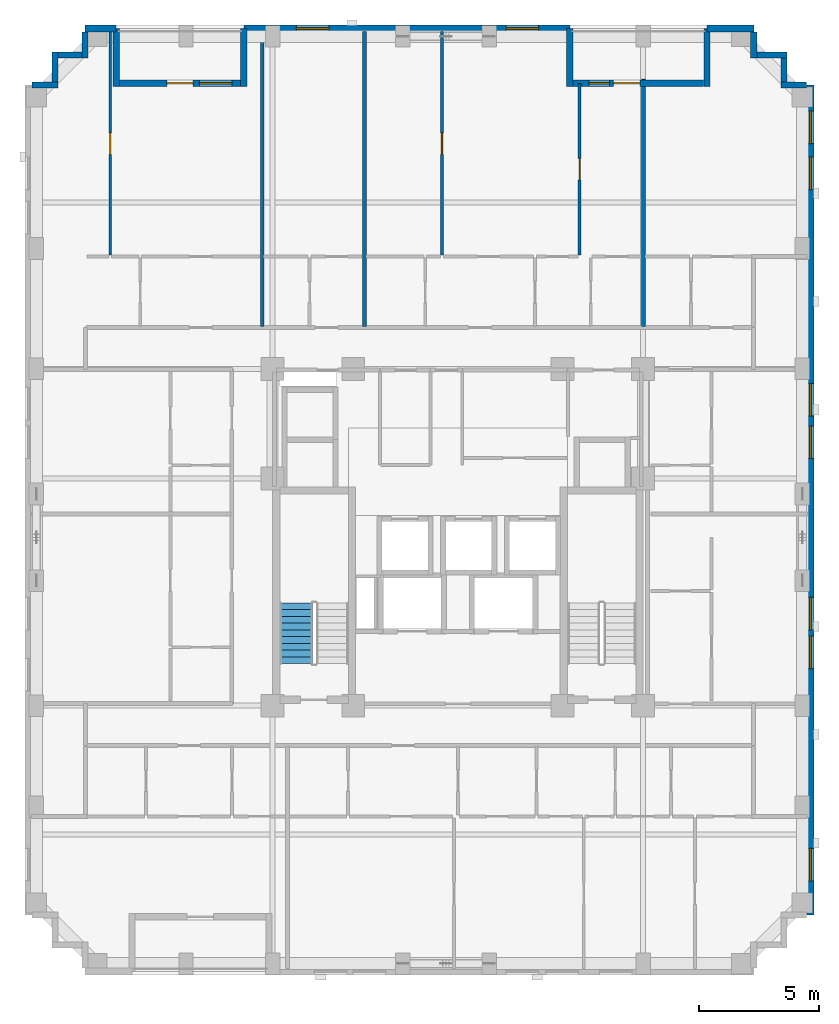
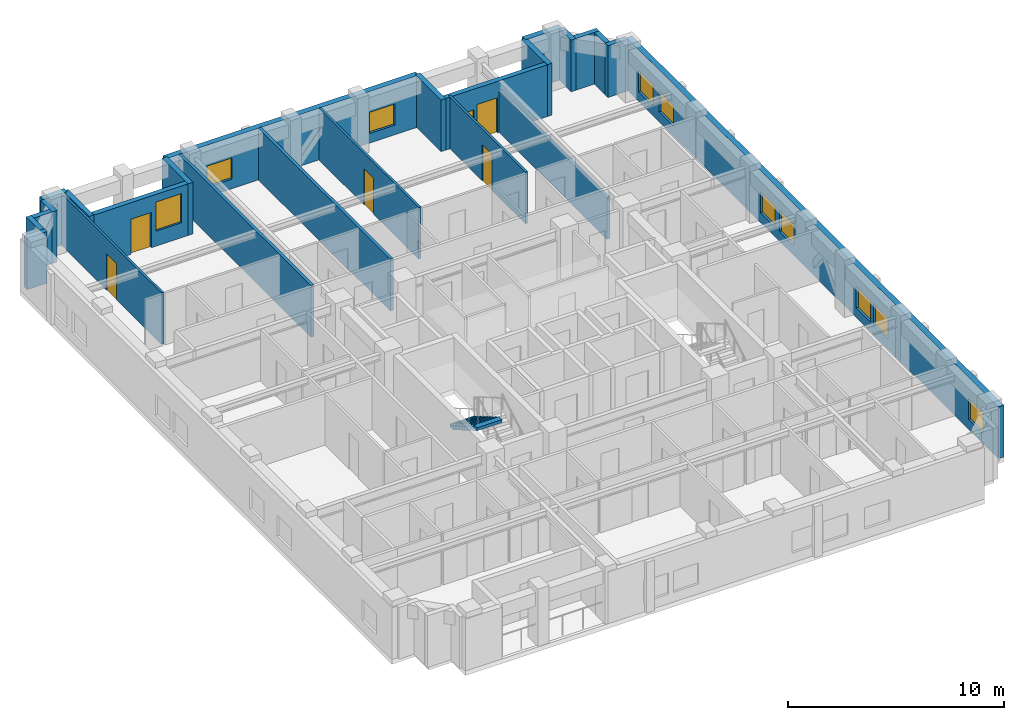
# One storey, part 7 of 11: 24 walls, 11 windows, 5 doors, 1 stair flight, 16 openings, 1 element without a shape of its own.
"""IFC4 building model written with IfcOpenShell, lengths in metres."""

from ifc_helpers import new_model, si_unit, derived_unit, direction, frame, frame_2d, origin, place, context, subcontext, project, spatial, polyline, rectangle, outline, extrude, material, layer, layer_set, type_object, element, fill, aggregate, save


model = new_model("IFC4")

# Units and contexts
model_context = context("Model", 3, precision=1e-05, world=origin(), true_north=direction((0.0, 1.0)))
body_context = subcontext(model_context, "Body", "Model", "MODEL_VIEW")
ifc_project = project(units=[si_unit("LENGTHUNIT", "METRE"), si_unit("AREAUNIT", "SQUARE_METRE"), si_unit("VOLUMEUNIT", "CUBIC_METRE"), si_unit("PLANEANGLEUNIT", "RADIAN"), si_unit("MASSUNIT", "GRAM", prefix="KILO"), derived_unit("THERMALTRANSMITTANCEUNIT", [(si_unit("MASSUNIT", "GRAM", prefix="KILO"), 1), (si_unit("TIMEUNIT", "SECOND"), -3), (si_unit("THERMODYNAMICTEMPERATUREUNIT", "KELVIN"), -1)])], contexts=[model_context])

# Site, building, storey
site_placement = place(None, origin())
site = spatial("IfcSite", under=ifc_project, at=site_placement, CompositionType="ELEMENT")
building_placement = place(site_placement, origin())
building = spatial("IfcBuilding", under=site, at=building_placement, Name="Korrvale Station Residences", CompositionType="ELEMENT")
storey_placement = place(building_placement, frame((0.0, 0.0, 166.64990234375)))
storey = spatial("IfcBuildingStorey", under=building, at=storey_placement, Name="L48", CompositionType="ELEMENT", Elevation=166.64990234375)

# Wall
ifc_material_1 = material(Name="Precast concrete C45/55", Category="concrete")
ifc_layer_1 = layer(ifc_material_1, 0.260009765625, Name="Precast concrete C45/55")
ifc_layer_set_1 = layer_set([ifc_layer_1], Name="Precast concrete C45/55")
wall_type_1 = type_object("IfcWallType", Name="WAL-EXT-LOG260", PredefinedType="SOLIDWALL", material=ifc_layer_set_1)
wall_1_placement = place(storey_placement, frame((11.300048828125, 43.139892578125, 0.0), z_axis=(0.0, 0.0, 1.0), x_axis=(0.0, -1.0, 0.0)))
element("IfcWall", 1, at=wall_1_placement, inside=storey, type_object=wall_type_1, Name="L48 Recessed Loggia Wall BAL-L48-N2-L", PredefinedType="SOLIDWALL", context=body_context, shape_type="SweptSolid", body=[
    extrude(rectangle(XDim=2.39990234375, YDim=0.260009765625, at=frame_2d((1.199951171875, 0.0))), origin(), (0.0, 0.0, 1.0), 2.93017578125),
])

# Wall, openings, door, window
wall_2_placement = place(storey_placement, frame((11.43408203125, 40.8701171875, 0.0), z_axis=(0.0, 0.0, 1.0), x_axis=(1.0, 0.0, 0.0)))
wall_2 = element("IfcWall", 2, at=wall_2_placement, inside=storey, type_object=wall_type_1, Name="L48 Recessed Loggia Wall BAL-L48-N2-B", PredefinedType="SOLIDWALL", context=body_context, shape_type="SweptSolid", body=[
    extrude(rectangle(XDim=5.031982421875, YDim=0.260009765625, at=frame_2d((2.51611328125, 0.0))), origin(), (0.0, 0.0, 1.0), 2.93017578125),
])
opening_1_placement = place(wall_2_placement, frame((1.966064453125, 0.0, 0.0)))
opening_1 = element("IfcOpeningElement", 3, at=opening_1_placement, cuts=wall_2, Name="Opening BD-01", PredefinedType="OPENING", context=body_context, shape_type="SweptSolid", body=[
    extrude(rectangle(XDim=1.10009765625, YDim=2.0, at=frame_2d((0.550048828125, 1.0))), frame((0.0, 0.14013671875, 0.0), z_axis=(0.0, -1.0, 0.0), x_axis=(1.0, 0.0, 0.0)), (0.0, 0.0, 1.0), 0.280029296875),
])
opening_2_placement = place(wall_2_placement, frame((3.325927734375, 0.0, 0.85009765625)))
opening_2 = element("IfcOpeningElement", 4, at=opening_2_placement, cuts=wall_2, Name="Opening W-06", PredefinedType="OPENING", context=body_context, shape_type="SweptSolid", body=[
    extrude(rectangle(XDim=1.35009765625, YDim=1.64990234375, at=frame_2d((0.675048828125, 0.824951171875))), frame((0.0, 0.14013671875, 0.0), z_axis=(0.0, -1.0, 0.0), x_axis=(1.0, 0.0, 0.0)), (0.0, 0.0, 1.0), 0.280029296875),
])
ifc_material_2 = material(Name="Exterior thermally broken aluminium glazed balcony door", Category="aluminium")
door_type_1 = type_object("IfcDoorType", Name="DR-EXT-BAL", OperationType="NOTDEFINED", PredefinedType="DOOR", material=ifc_material_2)
door_1_placement = place(opening_1_placement, origin())
door_1 = element("IfcDoor", 5, at=door_1_placement, inside=storey, type_object=door_type_1, Name="L48 Loggia Balcony Door BAL-L48-N2", OperationType="SINGLE_SWING_LEFT", OverallHeight=2.0, OverallWidth=1.10009765625, PredefinedType="DOOR", context=body_context, shape_type="SweptSolid", body=[
    extrude(rectangle(XDim=1.10009765625, YDim=2.0, at=frame_2d((0.550048828125, 1.0))), frame((0.0, 0.02490234375, 0.0), z_axis=(0.0, -1.0, 0.0), x_axis=(1.0, 0.0, 0.0)), (0.0, 0.0, 1.0), 0.050048828125),
])
fill(opening_1, door_1)
ifc_material_3 = material(Name="Thermally broken aluminium frame with triple low-e glazing", Category="aluminium")
window_type_1 = type_object("IfcWindowType", Name="WIN-W06", PartitioningType="SINGLE_PANEL", PredefinedType="WINDOW", material=ifc_material_3)
window_1_placement = place(opening_2_placement, origin())
window_1 = element("IfcWindow", 6, at=window_1_placement, inside=storey, type_object=window_type_1, Name="L48 Punched Window 10", OverallHeight=1.64990234375, OverallWidth=1.35009765625, PartitioningType="SINGLE_PANEL", PredefinedType="WINDOW", context=body_context, shape_type="SweptSolid", body=[
    extrude(rectangle(XDim=1.35009765625, YDim=1.64990234375, at=frame_2d((0.675048828125, 0.824951171875))), frame((0.0, 0.030029296875, 0.0), z_axis=(0.0, -1.0, 0.0), x_axis=(1.0, 0.0, 0.0)), (0.0, 0.0, 1.0), 0.06005859375),
])
fill(opening_2, window_1)

# Walls
for number, where, z_axis, x_axis, name in (
    (7, (16.60009765625, 40.739990234375, 0.0), (0.0, 0.0, 1.0), (0.0, 1.0, 0.0), "L48 Recessed Loggia Wall BAL-L48-N2-R"),
    (8, (30.14990234375, 43.139892578125, 0.0), (0.0, 0.0, 1.0), (0.0, -1.0, 0.0), "L48 Recessed Loggia Wall BAL-L48-N1-L"),
):
    element("IfcWall", number, at=place(storey_placement, frame(where, z_axis=z_axis, x_axis=x_axis)), inside=storey, type_object=wall_type_1, Name=name, PredefinedType="SOLIDWALL", context=body_context, shape_type="SweptSolid", body=[
        extrude(rectangle(XDim=2.39990234375, YDim=0.260009765625, at=frame_2d((1.199951171875, 0.0))), origin(), (0.0, 0.0, 1.0), 2.93017578125),
    ])

# Wall, openings, door, window
wall_3_placement = place(storey_placement, frame((30.283935546875, 40.8701171875, 0.0), z_axis=(0.0, 0.0, 1.0), x_axis=(1.0, 0.0, 0.0)))
wall_3 = element("IfcWall", 9, at=wall_3_placement, inside=storey, type_object=wall_type_1, Name="L48 Recessed Loggia Wall BAL-L48-N1-B", PredefinedType="SOLIDWALL", context=body_context, shape_type="SweptSolid", body=[
    extrude(rectangle(XDim=5.43212890625, YDim=0.260009765625, at=frame_2d((2.716064453125, 0.0))), origin(), (0.0, 0.0, 1.0), 2.93017578125),
])
opening_3_placement = place(wall_3_placement, frame((1.676025390625, 0.0, 0.0)))
opening_3 = element("IfcOpeningElement", 10, at=opening_3_placement, cuts=wall_3, Name="Opening BD-01", PredefinedType="OPENING", context=body_context, shape_type="SweptSolid", body=[
    extrude(rectangle(XDim=1.10009765625, YDim=2.0, at=frame_2d((0.550048828125, 1.0))), frame((0.0, 0.14013671875, 0.0), z_axis=(0.0, -1.0, 0.0), x_axis=(1.0, 0.0, 0.0)), (0.0, 0.0, 1.0), 0.280029296875),
])
opening_4_placement = place(wall_3_placement, frame((0.666015625, 0.0, 0.550048828125)))
opening_4 = element("IfcOpeningElement", 11, at=opening_4_placement, cuts=wall_3, Name="Opening W-11", PredefinedType="OPENING", context=body_context, shape_type="SweptSolid", body=[
    extrude(rectangle(XDim=0.85009765625, YDim=1.199951171875, at=frame_2d((0.425048828125, 0.60009765625))), frame((0.0, 0.14013671875, 0.0), z_axis=(0.0, -1.0, 0.0), x_axis=(1.0, 0.0, 0.0)), (0.0, 0.0, 1.0), 0.280029296875),
])
door_2_placement = place(opening_3_placement, origin())
door_2 = element("IfcDoor", 12, at=door_2_placement, inside=storey, type_object=door_type_1, Name="L48 Loggia Balcony Door BAL-L48-N1", OperationType="SINGLE_SWING_RIGHT", OverallHeight=2.0, OverallWidth=1.10009765625, PredefinedType="DOOR", context=body_context, shape_type="SweptSolid", body=[
    extrude(rectangle(XDim=1.10009765625, YDim=2.0, at=frame_2d((0.550048828125, 1.0))), frame((0.0, 0.02490234375, 0.0), z_axis=(0.0, -1.0, 0.0), x_axis=(1.0, 0.0, 0.0)), (0.0, 0.0, 1.0), 0.050048828125),
])
fill(opening_3, door_2)
window_type_2 = type_object("IfcWindowType", Name="WIN-W11", PartitioningType="SINGLE_PANEL", PredefinedType="WINDOW", material=ifc_material_3)
window_2_placement = place(opening_4_placement, origin())
window_2 = element("IfcWindow", 13, at=window_2_placement, inside=storey, type_object=window_type_2, Name="L48 Punched Window 13", OverallHeight=1.199951171875, OverallWidth=0.85009765625, PartitioningType="SINGLE_PANEL", PredefinedType="WINDOW", context=body_context, shape_type="SweptSolid", body=[
    extrude(rectangle(XDim=0.85009765625, YDim=1.199951171875, at=frame_2d((0.425048828125, 0.60009765625))), frame((0.0, 0.030029296875, 0.0), z_axis=(0.0, -1.0, 0.0), x_axis=(1.0, 0.0, 0.0)), (0.0, 0.0, 1.0), 0.06005859375),
])
fill(opening_4, window_2)

# Walls
wall_4_placement = place(storey_placement, frame((35.85009765625, 40.739990234375, 0.0), z_axis=(0.0, 0.0, 1.0), x_axis=(0.0, 1.0, 0.0)))
element("IfcWall", 14, at=wall_4_placement, inside=storey, type_object=wall_type_1, Name="L48 Recessed Loggia Wall BAL-L48-N1-R", PredefinedType="SOLIDWALL", context=body_context, shape_type="SweptSolid", body=[
    extrude(rectangle(XDim=2.39990234375, YDim=0.260009765625, at=frame_2d((1.199951171875, 0.0))), origin(), (0.0, 0.0, 1.0), 2.93017578125),
])
wall_5_placement = place(storey_placement, frame((7.802001953125, 40.800048828125, 0.0), z_axis=(0.0, 0.0, 1.0), x_axis=(1.0, 0.0, 0.0)))
element("IfcWall", 15, at=wall_5_placement, inside=storey, type_object=wall_type_1, Name="L48 Serrated Corner Precast Step NW-1", PredefinedType="SOLIDWALL", context=body_context, shape_type="SweptSolid", body=[
    extrude(rectangle(XDim=1.077880859375, YDim=0.260009765625, at=frame_2d((0.5390625, 0.0))), origin(), (0.0, 0.0, 1.0), 2.93017578125),
])
wall_6_placement = place(storey_placement, frame((8.75, 40.931884765625, 0.0), z_axis=(0.0, 0.0, 1.0), x_axis=(0.0, 1.0, 0.0)))
element("IfcWall", 16, at=wall_6_placement, inside=storey, type_object=wall_type_1, Name="L48 Serrated Corner Precast Step NW-2", PredefinedType="SOLIDWALL", context=body_context, shape_type="SweptSolid", body=[
    extrude(rectangle(XDim=1.248046875, YDim=0.260009765625, at=frame_2d((0.6240234375, 0.0))), origin(), (0.0, 0.0, 1.0), 2.93017578125),
])
wall_7_placement = place(storey_placement, frame((8.882080078125, 42.050048828125, 0.0), z_axis=(0.0, 0.0, 1.0), x_axis=(1.0, 0.0, 0.0)))
element("IfcWall", 17, at=wall_7_placement, inside=storey, type_object=wall_type_1, Name="L48 Serrated Corner Precast Step NW-3", PredefinedType="SOLIDWALL", context=body_context, shape_type="SweptSolid", body=[
    extrude(rectangle(XDim=0.98583984375, YDim=0.260009765625, at=frame_2d((0.492919921875, 0.0))), origin(), (0.0, 0.0, 1.0), 2.93017578125),
])
for number, where, z_axis, x_axis, name in (
    (18, (10.0, 41.919921875, 0.0), (0.0, 0.0, 1.0), (0.0, 1.0, 0.0), "L48 Serrated Corner Precast Step NW-4"),
    (19, (37.800048828125, 42.998046875, 0.0), (0.0, 0.0, 1.0), (0.0, -1.0, 0.0), "L48 Serrated Corner Precast Step NE-1"),
):
    element("IfcWall", number, at=place(storey_placement, frame(where, z_axis=z_axis, x_axis=x_axis)), inside=storey, type_object=wall_type_1, Name=name, PredefinedType="SOLIDWALL", context=body_context, shape_type="SweptSolid", body=[
        extrude(rectangle(XDim=1.078125, YDim=0.260009765625, at=frame_2d((0.5390625, 0.0))), origin(), (0.0, 0.0, 1.0), 2.93017578125),
    ])
wall_8_placement = place(storey_placement, frame((37.931884765625, 42.050048828125, 0.0), z_axis=(0.0, 0.0, 1.0), x_axis=(1.0, 0.0, 0.0)))
element("IfcWall", 20, at=wall_8_placement, inside=storey, type_object=wall_type_1, Name="L48 Serrated Corner Precast Step NE-2", PredefinedType="SOLIDWALL", context=body_context, shape_type="SweptSolid", body=[
    extrude(rectangle(XDim=1.248046875, YDim=0.260009765625, at=frame_2d((0.6240234375, 0.0))), origin(), (0.0, 0.0, 1.0), 2.93017578125),
])
wall_9_placement = place(storey_placement, frame((39.050048828125, 41.91796875, 0.0), z_axis=(0.0, 0.0, 1.0), x_axis=(0.0, -1.0, 0.0)))
element("IfcWall", 21, at=wall_9_placement, inside=storey, type_object=wall_type_1, Name="L48 Serrated Corner Precast Step NE-3", PredefinedType="SOLIDWALL", context=body_context, shape_type="SweptSolid", body=[
    extrude(rectangle(XDim=0.986083984375, YDim=0.260009765625, at=frame_2d((0.4931640625, 0.0))), origin(), (0.0, 0.0, 1.0), 2.93017578125),
])
wall_10_placement = place(storey_placement, frame((38.919921875, 40.800048828125, 0.0), z_axis=(0.0, 0.0, 1.0), x_axis=(1.0, 0.0, 0.0)))
element("IfcWall", 22, at=wall_10_placement, inside=storey, type_object=wall_type_1, Name="L48 Serrated Corner Precast Step NE-4", PredefinedType="SOLIDWALL", context=body_context, shape_type="SweptSolid", body=[
    extrude(rectangle(XDim=1.078125, YDim=0.260009765625, at=frame_2d((0.5390625, 0.0))), origin(), (0.0, 0.0, 1.0), 2.93017578125),
])
ifc_layer_2 = layer(ifc_material_1, 0.300048828125, Name="Precast concrete C45/55")
ifc_layer_set_2 = layer_set([ifc_layer_2], Name="Precast concrete C45/55")
wall_type_2 = type_object("IfcWallType", Name="WAL-EXT-PC300", PredefinedType="SOLIDWALL", material=ifc_layer_set_2)
wall_11_placement = place(storey_placement, frame((10.0, 43.14990234375, 0.0), z_axis=(0.0, 0.0, 1.0), x_axis=(1.0, 0.0, 0.0)))
element("IfcWall", 23, at=wall_11_placement, inside=storey, type_object=wall_type_2, Name="L48 North Exterior Precast Wall 1", PredefinedType="SOLIDWALL", context=body_context, shape_type="SweptSolid", body=[
    extrude(rectangle(XDim=1.300048828125, YDim=0.300048828125, at=frame_2d((0.64990234375, 0.0))), origin(), (0.0, 0.0, 1.0), 2.93017578125),
])

# Wall, openings, windows
wall_12_placement = place(storey_placement, frame((16.60009765625, 43.14990234375, 0.0), z_axis=(0.0, 0.0, 1.0), x_axis=(1.0, 0.0, 0.0)))
wall_12 = element("IfcWall", 24, at=wall_12_placement, inside=storey, type_object=wall_type_2, Name="L48 North Exterior Precast Wall 2", PredefinedType="SOLIDWALL", context=body_context, shape_type="SweptSolid", body=[
    extrude(rectangle(XDim=13.5498046875, YDim=0.300048828125, at=frame_2d((6.77490234375, 0.0))), origin(), (0.0, 0.0, 1.0), 2.93017578125),
])
opening_5_placement = place(wall_12_placement, frame((2.18603515625, 0.0, 0.550048828125)))
opening_5 = element("IfcOpeningElement", 25, at=opening_5_placement, cuts=wall_12, Name="Opening W-10", PredefinedType="OPENING", context=body_context, shape_type="SweptSolid", body=[
    extrude(rectangle(XDim=1.35009765625, YDim=1.199951171875, at=frame_2d((0.675048828125, 0.60009765625))), frame((0.0, 0.16015625, 0.0), z_axis=(0.0, -1.0, 0.0), x_axis=(1.0, 0.0, 0.0)), (0.0, 0.0, 1.0), 0.320068359375),
])
opening_6_placement = place(wall_12_placement, frame((10.89990234375, 0.0, 0.550048828125)))
opening_6 = element("IfcOpeningElement", 26, at=opening_6_placement, cuts=wall_12, Name="Opening W-10", PredefinedType="OPENING", context=body_context, shape_type="SweptSolid", body=[
    extrude(rectangle(XDim=1.35009765625, YDim=1.199951171875, at=frame_2d((0.675048828125, 0.60009765625))), frame((0.0, 0.16015625, 0.0), z_axis=(0.0, -1.0, 0.0), x_axis=(1.0, 0.0, 0.0)), (0.0, 0.0, 1.0), 0.320068359375),
])
window_type_3 = type_object("IfcWindowType", Name="WIN-W10", PartitioningType="SINGLE_PANEL", PredefinedType="WINDOW", material=ifc_material_3)
window_3_placement = place(opening_5_placement, origin())
window_3 = element("IfcWindow", 27, at=window_3_placement, inside=storey, type_object=window_type_3, Name="L48 Punched Window 11", OverallHeight=1.199951171875, OverallWidth=1.35009765625, PartitioningType="SINGLE_PANEL", PredefinedType="WINDOW", context=body_context, shape_type="SweptSolid", body=[
    extrude(rectangle(XDim=1.35009765625, YDim=1.199951171875, at=frame_2d((0.675048828125, 0.60009765625))), frame((0.0, 0.030029296875, 0.0), z_axis=(0.0, -1.0, 0.0), x_axis=(1.0, 0.0, 0.0)), (0.0, 0.0, 1.0), 0.06005859375),
])
fill(opening_5, window_3)
window_4_placement = place(opening_6_placement, origin())
window_4 = element("IfcWindow", 28, at=window_4_placement, inside=storey, type_object=window_type_3, Name="L48 Punched Window 12", OverallHeight=1.199951171875, OverallWidth=1.35009765625, PartitioningType="SINGLE_PANEL", PredefinedType="WINDOW", context=body_context, shape_type="SweptSolid", body=[
    extrude(rectangle(XDim=1.35009765625, YDim=1.199951171875, at=frame_2d((0.675048828125, 0.60009765625))), frame((0.0, 0.030029296875, 0.0), z_axis=(0.0, -1.0, 0.0), x_axis=(1.0, 0.0, 0.0)), (0.0, 0.0, 1.0), 0.06005859375),
])
fill(opening_6, window_4)

# Wall
wall_13_placement = place(storey_placement, frame((35.85009765625, 43.14990234375, 0.0), z_axis=(0.0, 0.0, 1.0), x_axis=(1.0, 0.0, 0.0)))
element("IfcWall", 29, at=wall_13_placement, inside=storey, type_object=wall_type_2, Name="L48 North Exterior Precast Wall 3", PredefinedType="SOLIDWALL", context=body_context, shape_type="SweptSolid", body=[
    extrude(rectangle(XDim=1.949951171875, YDim=0.300048828125, at=frame_2d((0.97509765625, 0.0))), origin(), (0.0, 0.0, 1.0), 2.93017578125),
])

# Wall, openings, windows
wall_14_placement = place(storey_placement, frame((40.14990234375, 40.800048828125, 0.0), z_axis=(0.0, 0.0, 1.0), x_axis=(0.0, -1.0, 0.0)))
wall_14 = element("IfcWall", 30, at=wall_14_placement, inside=storey, type_object=wall_type_2, Name="L48 East Exterior Precast Wall 1", PredefinedType="SOLIDWALL", context=body_context, shape_type="SweptSolid", body=[
    extrude(rectangle(XDim=34.5, YDim=0.300048828125, at=frame_2d((17.25, 0.0))), origin(), (0.0, 0.0, 1.0), 2.93017578125),
])
opening_7_placement = place(wall_14_placement, frame((31.72509765625, 0.0, 0.550048828125)))
opening_7 = element("IfcOpeningElement", 31, at=opening_7_placement, cuts=wall_14, Name="Opening W-10", PredefinedType="OPENING", context=body_context, shape_type="SweptSolid", body=[
    extrude(rectangle(XDim=1.35009765625, YDim=1.199951171875, at=frame_2d((0.675048828125, 0.60009765625))), frame((0.0, 0.16015625, 0.0), z_axis=(0.0, -1.0, 0.0), x_axis=(1.0, 0.0, 0.0)), (0.0, 0.0, 1.0), 0.320068359375),
])
opening_8_placement = place(wall_14_placement, frame((3.0, 0.0, 0.550048828125)))
opening_8 = element("IfcOpeningElement", 32, at=opening_8_placement, cuts=wall_14, Name="Opening W-10", PredefinedType="OPENING", context=body_context, shape_type="SweptSolid", body=[
    extrude(rectangle(XDim=1.35009765625, YDim=1.199951171875, at=frame_2d((0.675048828125, 0.60009765625))), frame((0.0, 0.16015625, 0.0), z_axis=(0.0, -1.0, 0.0), x_axis=(1.0, 0.0, 0.0)), (0.0, 0.0, 1.0), 0.320068359375),
])
opening_9_placement = place(wall_14_placement, frame((1.0849609375, 0.0, 0.550048828125)))
opening_9 = element("IfcOpeningElement", 33, at=opening_9_placement, cuts=wall_14, Name="Opening W-10", PredefinedType="OPENING", context=body_context, shape_type="SweptSolid", body=[
    extrude(rectangle(XDim=1.35009765625, YDim=1.199951171875, at=frame_2d((0.675048828125, 0.60009765625))), frame((0.0, 0.16015625, 0.0), z_axis=(0.0, -1.0, 0.0), x_axis=(1.0, 0.0, 0.0)), (0.0, 0.0, 1.0), 0.320068359375),
])
opening_10_placement = place(wall_14_placement, frame((21.300048828125, 0.0, 0.550048828125)))
opening_10 = element("IfcOpeningElement", 34, at=opening_10_placement, cuts=wall_14, Name="Opening W-10", PredefinedType="OPENING", context=body_context, shape_type="SweptSolid", body=[
    extrude(rectangle(XDim=1.35009765625, YDim=1.199951171875, at=frame_2d((0.675048828125, 0.60009765625))), frame((0.0, 0.16015625, 0.0), z_axis=(0.0, -1.0, 0.0), x_axis=(1.0, 0.0, 0.0)), (0.0, 0.0, 1.0), 0.320068359375),
])
opening_11_placement = place(wall_14_placement, frame((22.909912109375, 0.0, 0.550048828125)))
opening_11 = element("IfcOpeningElement", 35, at=opening_11_placement, cuts=wall_14, Name="Opening W-10", PredefinedType="OPENING", context=body_context, shape_type="SweptSolid", body=[
    extrude(rectangle(XDim=1.35009765625, YDim=1.199951171875, at=frame_2d((0.675048828125, 0.60009765625))), frame((0.0, 0.16015625, 0.0), z_axis=(0.0, -1.0, 0.0), x_axis=(1.0, 0.0, 0.0)), (0.0, 0.0, 1.0), 0.320068359375),
])
opening_12_placement = place(wall_14_placement, frame((14.175048828125, 0.0, 0.550048828125)))
opening_12 = element("IfcOpeningElement", 36, at=opening_12_placement, cuts=wall_14, Name="Opening W-10", PredefinedType="OPENING", context=body_context, shape_type="SweptSolid", body=[
    extrude(rectangle(XDim=1.35009765625, YDim=1.199951171875, at=frame_2d((0.675048828125, 0.60009765625))), frame((0.0, 0.16015625, 0.0), z_axis=(0.0, -1.0, 0.0), x_axis=(1.0, 0.0, 0.0)), (0.0, 0.0, 1.0), 0.320068359375),
])
opening_13_placement = place(wall_14_placement, frame((12.409912109375, 0.0, 0.550048828125)))
opening_13 = element("IfcOpeningElement", 37, at=opening_13_placement, cuts=wall_14, Name="Opening W-10", PredefinedType="OPENING", context=body_context, shape_type="SweptSolid", body=[
    extrude(rectangle(XDim=1.35009765625, YDim=1.199951171875, at=frame_2d((0.675048828125, 0.60009765625))), frame((0.0, 0.16015625, 0.0), z_axis=(0.0, -1.0, 0.0), x_axis=(1.0, 0.0, 0.0)), (0.0, 0.0, 1.0), 0.320068359375),
])
window_5_placement = place(opening_7_placement, origin())
window_5 = element("IfcWindow", 38, at=window_5_placement, inside=storey, type_object=window_type_3, Name="L48 Punched Window 07", OverallHeight=1.199951171875, OverallWidth=1.35009765625, PartitioningType="SINGLE_PANEL", PredefinedType="WINDOW", context=body_context, shape_type="SweptSolid", body=[
    extrude(rectangle(XDim=1.35009765625, YDim=1.199951171875, at=frame_2d((0.675048828125, 0.60009765625))), frame((0.0, 0.030029296875, 0.0), z_axis=(0.0, -1.0, 0.0), x_axis=(1.0, 0.0, 0.0)), (0.0, 0.0, 1.0), 0.06005859375),
])
fill(opening_7, window_5)
window_6_placement = place(opening_8_placement, origin())
window_6 = element("IfcWindow", 39, at=window_6_placement, inside=storey, type_object=window_type_3, Name="L48 Punched Window 14", OverallHeight=1.199951171875, OverallWidth=1.35009765625, PartitioningType="SINGLE_PANEL", PredefinedType="WINDOW", context=body_context, shape_type="SweptSolid", body=[
    extrude(rectangle(XDim=1.35009765625, YDim=1.199951171875, at=frame_2d((0.675048828125, 0.60009765625))), frame((0.0, 0.030029296875, 0.0), z_axis=(0.0, -1.0, 0.0), x_axis=(1.0, 0.0, 0.0)), (0.0, 0.0, 1.0), 0.06005859375),
])
fill(opening_8, window_6)
window_7_placement = place(opening_9_placement, origin())
window_7 = element("IfcWindow", 40, at=window_7_placement, inside=storey, type_object=window_type_3, Name="L48 Punched Window 15", OverallHeight=1.199951171875, OverallWidth=1.35009765625, PartitioningType="SINGLE_PANEL", PredefinedType="WINDOW", context=body_context, shape_type="SweptSolid", body=[
    extrude(rectangle(XDim=1.35009765625, YDim=1.199951171875, at=frame_2d((0.675048828125, 0.60009765625))), frame((0.0, 0.030029296875, 0.0), z_axis=(0.0, -1.0, 0.0), x_axis=(1.0, 0.0, 0.0)), (0.0, 0.0, 1.0), 0.06005859375),
])
fill(opening_9, window_7)
window_8_placement = place(opening_10_placement, origin())
window_8 = element("IfcWindow", 41, at=window_8_placement, inside=storey, type_object=window_type_3, Name="L48 Punched Window 20", OverallHeight=1.199951171875, OverallWidth=1.35009765625, PartitioningType="SINGLE_PANEL", PredefinedType="WINDOW", context=body_context, shape_type="SweptSolid", body=[
    extrude(rectangle(XDim=1.35009765625, YDim=1.199951171875, at=frame_2d((0.675048828125, 0.60009765625))), frame((0.0, 0.030029296875, 0.0), z_axis=(0.0, -1.0, 0.0), x_axis=(1.0, 0.0, 0.0)), (0.0, 0.0, 1.0), 0.06005859375),
])
fill(opening_10, window_8)
window_9_placement = place(opening_11_placement, origin())
window_9 = element("IfcWindow", 42, at=window_9_placement, inside=storey, type_object=window_type_3, Name="L48 Punched Window 21", OverallHeight=1.199951171875, OverallWidth=1.35009765625, PartitioningType="SINGLE_PANEL", PredefinedType="WINDOW", context=body_context, shape_type="SweptSolid", body=[
    extrude(rectangle(XDim=1.35009765625, YDim=1.199951171875, at=frame_2d((0.675048828125, 0.60009765625))), frame((0.0, 0.030029296875, 0.0), z_axis=(0.0, -1.0, 0.0), x_axis=(1.0, 0.0, 0.0)), (0.0, 0.0, 1.0), 0.06005859375),
])
fill(opening_11, window_9)
window_10_placement = place(opening_12_placement, origin())
window_10 = element("IfcWindow", 43, at=window_10_placement, inside=storey, type_object=window_type_3, Name="L48 Punched Window 22", OverallHeight=1.199951171875, OverallWidth=1.35009765625, PartitioningType="SINGLE_PANEL", PredefinedType="WINDOW", context=body_context, shape_type="SweptSolid", body=[
    extrude(rectangle(XDim=1.35009765625, YDim=1.199951171875, at=frame_2d((0.675048828125, 0.60009765625))), frame((0.0, 0.030029296875, 0.0), z_axis=(0.0, -1.0, 0.0), x_axis=(1.0, 0.0, 0.0)), (0.0, 0.0, 1.0), 0.06005859375),
])
fill(opening_12, window_10)
window_11_placement = place(opening_13_placement, origin())
window_11 = element("IfcWindow", 44, at=window_11_placement, inside=storey, type_object=window_type_3, Name="L48 Punched Window 23", OverallHeight=1.199951171875, OverallWidth=1.35009765625, PartitioningType="SINGLE_PANEL", PredefinedType="WINDOW", context=body_context, shape_type="SweptSolid", body=[
    extrude(rectangle(XDim=1.35009765625, YDim=1.199951171875, at=frame_2d((0.675048828125, 0.60009765625))), frame((0.0, 0.030029296875, 0.0), z_axis=(0.0, -1.0, 0.0), x_axis=(1.0, 0.0, 0.0)), (0.0, 0.0, 1.0), 0.06005859375),
])
fill(opening_13, window_11)

# Wall, opening, door
ifc_material_4 = material(Name="Acoustic steel-stud gypsum board partition", Category="steel")
ifc_layer_3 = layer(ifc_material_4, 0.1201171875, Name="Acoustic steel-stud gypsum board partition")
ifc_layer_set_3 = layer_set([ifc_layer_3], Name="Acoustic steel-stud gypsum board partition")
wall_type_3 = type_object("IfcWallType", Name="WAL-PART-125", PredefinedType="PARTITIONING", material=ifc_layer_set_3)
wall_15_placement = place(storey_placement, frame((11.050048828125, 33.72998046875, 0.0), z_axis=(0.0, 0.0, 1.0), x_axis=(0.0, 1.0, 0.0)))
wall_15 = element("IfcWall", 45, at=wall_15_placement, inside=storey, type_object=wall_type_3, Name="L48 Suite Partition U03-V23", PredefinedType="PARTITIONING", context=body_context, shape_type="SweptSolid", body=[
    extrude(rectangle(XDim=9.2900390625, YDim=0.1201171875, at=frame_2d((4.64501953125, 0.0))), origin(), (0.0, 0.0, 1.0), 2.93017578125),
])
opening_14_placement = place(wall_15_placement, frame((4.179931640625, 0.0, 0.0)))
opening_14 = element("IfcOpeningElement", 46, at=opening_14_placement, cuts=wall_15, Name="Opening DI-900", PredefinedType="OPENING", context=body_context, shape_type="SweptSolid", body=[
    extrude(rectangle(XDim=0.89990234375, YDim=2.050048828125, at=frame_2d((0.449951171875, 1.02490234375))), frame((0.0, 0.070068359375, 0.0), z_axis=(0.0, -1.0, 0.0), x_axis=(1.0, 0.0, 0.0)), (0.0, 0.0, 1.0), 0.14013671875),
])
ifc_material_5 = material(Name="Painted solid-core timber interior room door", Category="wood")
door_type_2 = type_object("IfcDoorType", Name="DR-INT-900", OperationType="NOTDEFINED", PredefinedType="DOOR", material=ifc_material_5)
door_3_placement = place(opening_14_placement, origin())
door_3 = element("IfcDoor", 47, at=door_3_placement, inside=storey, type_object=door_type_2, Name="L48 Studio Apartment L48-U03 Walk-In Wardrobe Door", OperationType="SINGLE_SWING_RIGHT", OverallHeight=2.050048828125, OverallWidth=0.89990234375, PredefinedType="DOOR", context=body_context, shape_type="SweptSolid", body=[
    extrude(rectangle(XDim=0.89990234375, YDim=2.050048828125, at=frame_2d((0.449951171875, 1.02490234375))), frame((0.0, 0.02490234375, 0.0), z_axis=(0.0, -1.0, 0.0), x_axis=(1.0, 0.0, 0.0)), (0.0, 0.0, 1.0), 0.050048828125),
])
fill(opening_14, door_3)

wall_16_placement = place(storey_placement, frame((24.841064453125, 33.72998046875, 0.0), z_axis=(0.0, 0.0, 1.0), x_axis=(0.0, 1.0, 0.0)))
wall_16 = element("IfcWall", 48, at=wall_16_placement, inside=storey, type_object=wall_type_3, Name="L48 Suite Partition U05-V45", PredefinedType="PARTITIONING", context=body_context, shape_type="SweptSolid", body=[
    extrude(rectangle(XDim=9.2900390625, YDim=0.1201171875, at=frame_2d((4.64501953125, 0.0))), origin(), (0.0, 0.0, 1.0), 2.93017578125),
])
opening_15_placement = place(wall_16_placement, frame((4.179931640625, 0.0, 0.0)))
opening_15 = element("IfcOpeningElement", 49, at=opening_15_placement, cuts=wall_16, Name="Opening DI-900", PredefinedType="OPENING", context=body_context, shape_type="SweptSolid", body=[
    extrude(rectangle(XDim=0.89990234375, YDim=2.050048828125, at=frame_2d((0.449951171875, 1.02490234375))), frame((0.0, 0.070068359375, 0.0), z_axis=(0.0, -1.0, 0.0), x_axis=(1.0, 0.0, 0.0)), (0.0, 0.0, 1.0), 0.14013671875),
])
door_4_placement = place(opening_15_placement, origin())
door_4 = element("IfcDoor", 50, at=door_4_placement, inside=storey, type_object=door_type_2, Name="L48 Studio Apartment L48-U05 Walk-In Wardrobe Door", OperationType="SINGLE_SWING_LEFT", OverallHeight=2.050048828125, OverallWidth=0.89990234375, PredefinedType="DOOR", context=body_context, shape_type="SweptSolid", body=[
    extrude(rectangle(XDim=0.89990234375, YDim=2.050048828125, at=frame_2d((0.449951171875, 1.02490234375))), frame((0.0, 0.02490234375, 0.0), z_axis=(0.0, -1.0, 0.0), x_axis=(1.0, 0.0, 0.0)), (0.0, 0.0, 1.0), 0.050048828125),
])
fill(opening_15, door_4)

wall_17_placement = place(storey_placement, frame((30.56005859375, 33.72998046875, 0.0), z_axis=(0.0, 0.0, 1.0), x_axis=(0.0, 1.0, 0.0)))
wall_17 = element("IfcWall", 51, at=wall_17_placement, inside=storey, type_object=wall_type_3, Name="L48 Suite Partition U05-V56", PredefinedType="PARTITIONING", context=body_context, shape_type="SweptSolid", body=[
    extrude(rectangle(XDim=7.14013671875, YDim=0.1201171875, at=frame_2d((3.570068359375, 0.0))), origin(), (0.0, 0.0, 1.0), 2.93017578125),
])
opening_16_placement = place(wall_17_placement, frame((3.1201171875, 0.0, 0.0)))
opening_16 = element("IfcOpeningElement", 52, at=opening_16_placement, cuts=wall_17, Name="Opening DI-900", PredefinedType="OPENING", context=body_context, shape_type="SweptSolid", body=[
    extrude(rectangle(XDim=0.89990234375, YDim=2.050048828125, at=frame_2d((0.449951171875, 1.02490234375))), frame((0.0, 0.070068359375, 0.0), z_axis=(0.0, -1.0, 0.0), x_axis=(1.0, 0.0, 0.0)), (0.0, 0.0, 1.0), 0.14013671875),
])
door_5_placement = place(opening_16_placement, origin())
door_5 = element("IfcDoor", 53, at=door_5_placement, inside=storey, type_object=door_type_2, Name="L48 Studio Apartment L48-U05 Studio Living Room Door", OperationType="SINGLE_SWING_RIGHT", OverallHeight=2.050048828125, OverallWidth=0.89990234375, PredefinedType="DOOR", context=body_context, shape_type="SweptSolid", body=[
    extrude(rectangle(XDim=0.89990234375, YDim=2.050048828125, at=frame_2d((0.449951171875, 1.02490234375))), frame((0.0, 0.02490234375, 0.0), z_axis=(0.0, -1.0, 0.0), x_axis=(1.0, 0.0, 0.0)), (0.0, 0.0, 1.0), 0.050048828125),
])
fill(opening_16, door_5)

# Walls
ifc_material_6 = material(Name="Fire-rated twin-stud gypsum and mineral wool shaftwall assembly", Category="gypsum")
ifc_layer_4 = layer(ifc_material_6, 0.159912109375, Name="Fire-rated twin-stud gypsum and mineral wool shaftwall assembly")
ifc_layer_set_4 = layer_set([ifc_layer_4], Name="Fire-rated twin-stud gypsum and mineral wool shaftwall assembly")
wall_type_4 = type_object("IfcWallType", Name="WAL-PART-200", PredefinedType="PARTITIONING", material=ifc_layer_set_4)
for number, where, z_axis, x_axis, name in (
    (54, (17.3701171875, 30.760009765625, 0.0), (0.0, 0.0, 1.0), (0.0, 1.0, 0.0), "L48 Demising Wall U04-W"),
    (55, (21.62109375, 30.760009765625, 0.0), (0.0, 0.0, 1.0), (0.0, 1.0, 0.0), "L48 Demising Wall U05-W"),
):
    element("IfcWall", number, at=place(storey_placement, frame(where, z_axis=z_axis, x_axis=x_axis)), inside=storey, type_object=wall_type_4, Name=name, PredefinedType="PARTITIONING", context=body_context, shape_type="SweptSolid", body=[
        extrude(rectangle(XDim=12.260009765625, YDim=0.159912109375, at=frame_2d((6.1298828125, 0.0))), origin(), (0.0, 0.0, 1.0), 2.93017578125),
    ])
wall_18_placement = place(storey_placement, frame((33.219970703125, 30.760009765625, 0.0), z_axis=(0.0, 0.0, 1.0), x_axis=(0.0, 1.0, 0.0)))
element("IfcWall", 56, at=wall_18_placement, inside=storey, type_object=wall_type_4, Name="L48 Demising Wall U06-W", PredefinedType="PARTITIONING", context=body_context, shape_type="SweptSolid", body=[
    extrude(rectangle(XDim=10.280029296875, YDim=0.159912109375, at=frame_2d((5.14013671875, 0.0))), origin(), (0.0, 0.0, 1.0), 2.382080078125),
])

# Stair, stair flight
ifc_material_7 = material(Name="Concrete C50/60", Category="concrete")
stair_type = type_object("IfcStairType", Name="STR-DL-1350-20R-1625", PredefinedType="HALF_TURN_STAIR", material=ifc_material_7)
stair_placement = place(storey_placement, origin())
stair = element("IfcStair", 57, at=stair_placement, inside=storey, type_object=stair_type, Name="L48 Exit Stair 1", PredefinedType="HALF_TURN_STAIR")
stair_flight_type = type_object("IfcStairFlightType", Name="FLT-DL-1350-20R-1625", PredefinedType="STRAIGHT", material=ifc_material_7)
stair_flight_placement = place(storey_placement, frame((18.77490234375, 19.27001953125, 1.625), z_axis=(0.0, 0.0, 1.0), x_axis=(0.0, -1.0, 0.0)))
stair_flight = element("IfcStairFlight", 58, at=stair_flight_placement, type_object=stair_flight_type, Name="ST-1 flight 2", NumberOfRisers=10, NumberOfTreads=9, PredefinedType="STRAIGHT", RiserHeight=0.1625, TreadLength=0.28, context=body_context, shape_type="SweptSolid", body=[
    extrude(outline(polyline([(0.0, 0.0), (0.0, 0.16259765625), (0.280029296875, 0.16259765625), (0.280029296875, 0.324951171875), (0.56005859375, 0.324951171875), (0.56005859375, 0.487548828125), (0.840087890625, 0.487548828125), (0.840087890625, 0.64990234375), (1.1201171875, 0.64990234375), (1.1201171875, 0.8125), (1.39990234375, 0.8125), (1.39990234375, 0.97509765625), (1.679931640625, 0.97509765625), (1.679931640625, 1.137451171875), (1.9599609375, 1.137451171875), (1.9599609375, 1.300048828125), (2.239990234375, 1.300048828125), (2.239990234375, 1.46240234375), (2.52001953125, 1.46240234375), (2.52001953125, 1.625), (2.52001953125, 1.2890625), (0.298583984375, 0.0), (0.0, 0.0)])), frame((0.0, 0.675048828125, 0.0), z_axis=(0.0, -1.0, 0.0), x_axis=(1.0, 0.0, 0.0)), (0.0, 0.0, 1.0), 1.35009765625),
])
aggregate(stair, [stair_flight])

save(model, "model.ifc")
